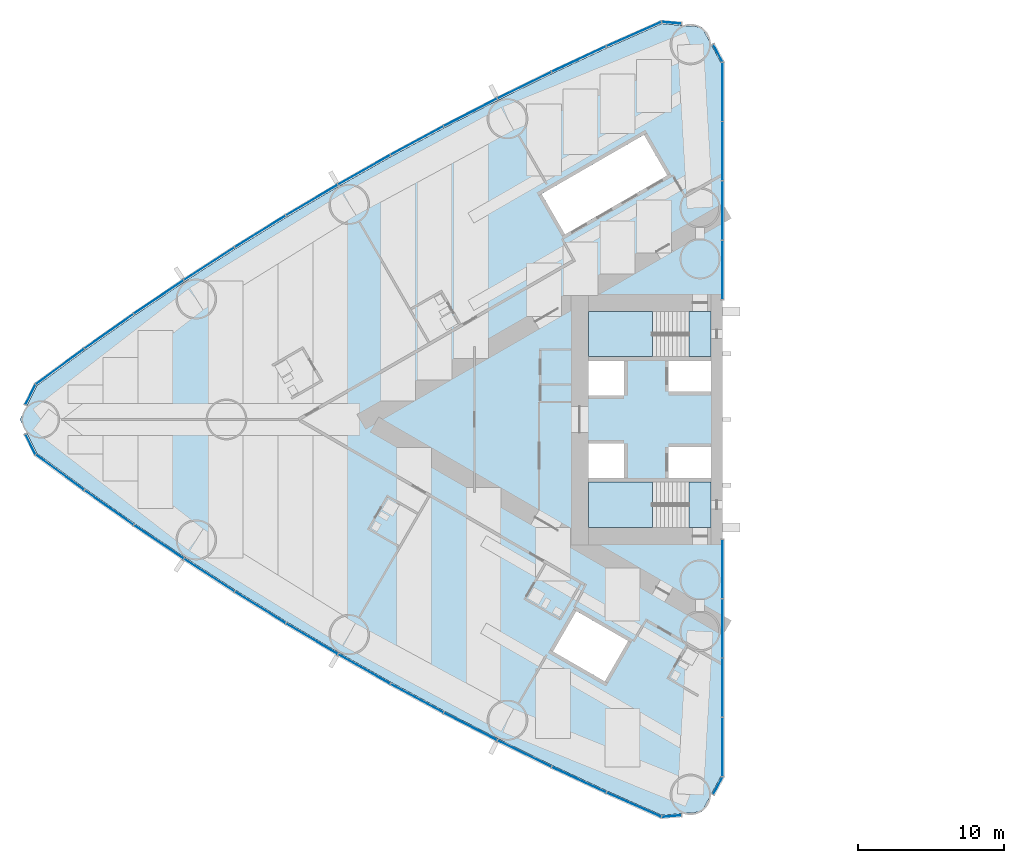
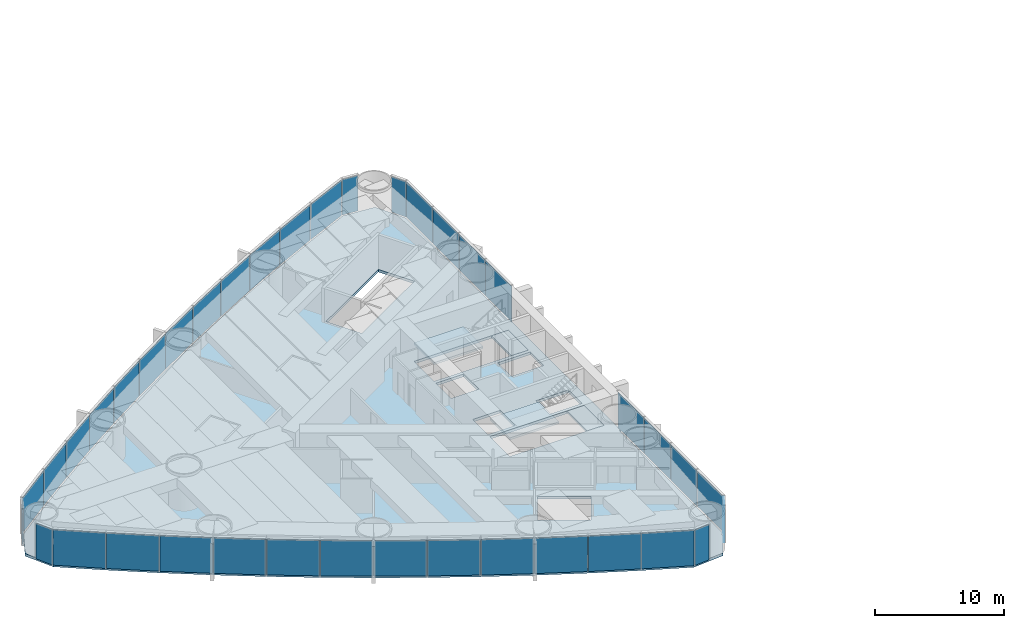
# One storey, part 9 of 18: 38 plates, 5 slabs, 6 elements without a shape of their own.
"""IFC4 building model written with IfcOpenShell, lengths in metres."""

from ifc_helpers import new_model, si_unit, direction, frame, origin, origin_2d, place, context, subcontext, project, spatial, polyline, rectangle, outline, extrude, material, layer, layer_set, type_object, element, aggregate, save


model = new_model("IFC4")

# Units and contexts
model_context = context("Model", 3, precision=1e-05, world=origin(), true_north=direction((0.0, 1.0)))
body_context = subcontext(model_context, "Body", "Model", "MODEL_VIEW")
ifc_project = project(units=[si_unit("LENGTHUNIT", "METRE"), si_unit("AREAUNIT", "SQUARE_METRE"), si_unit("VOLUMEUNIT", "CUBIC_METRE"), si_unit("PLANEANGLEUNIT", "RADIAN"), si_unit("MASSUNIT", "GRAM", prefix="KILO")], contexts=[model_context])

# Site, building, storey
site_placement = place(None, origin())
site = spatial("IfcSite", under=ifc_project, at=site_placement, CompositionType="ELEMENT")
building_placement = place(site_placement, origin())
building = spatial("IfcBuilding", under=site, at=building_placement, Name="Lancet Gate Hotel", CompositionType="ELEMENT")
storey_placement = place(building_placement, frame((0.0, 0.0, 56.5)))
storey = spatial("IfcBuildingStorey", under=building, at=storey_placement, Name="L14", CompositionType="ELEMENT", Elevation=56.5)

# Slab
ifc_material_1 = material(Name="Concrete C50/60", Category="concrete")
ifc_layer_1 = layer(ifc_material_1, 0.25)
ifc_layer_set_1 = layer_set([ifc_layer_1], Name="Floor slab 250")
slab_type_1 = type_object("IfcSlabType", Name="Floor slab 250", PredefinedType="FLOOR", material=ifc_layer_set_1)
slab_1_placement = place(storey_placement, frame((0.0, 0.0, -0.25)))
element("IfcSlab", 1, at=slab_1_placement, inside=storey, type_object=slab_type_1, Name="T1 L14 floor slab", PredefinedType="FLOOR", context=body_context, shape_type="SweptSolid", body=[
    extrude(outline(polyline([(-27.5, 8.60009765625), (-27.6201171875, 8.60009765625), (-27.6201171875, 24.4609375), (-28.926513671875, 26.8837890625), (-31.668212890625, 27.12353515625), (-35.424072265625, 25.458740234375), (-39.173583984375, 23.70849609375), (-42.887939453125, 21.884765625), (-46.56591796875, 19.98876953125), (-50.2060546875, 18.02099609375), (-53.806884765625, 15.982421875), (-57.366943359375, 13.87353515625), (-60.88525390625, 11.695068359375), (-64.360107421875, 9.448486328125), (-67.7900390625, 7.134033203125), (-71.17431640625, 4.752685546875), (-74.488525390625, 2.322021484375), (-75.65087890625, 0.0), (-74.488525390625, -2.322021484375), (-71.17431640625, -4.752685546875), (-67.7900390625, -7.134033203125), (-64.360107421875, -9.448486328125), (-60.88525390625, -11.695068359375), (-57.366943359375, -13.87353515625), (-53.806884765625, -15.982421875), (-50.2060546875, -18.02099609375), (-46.56591796875, -19.98876953125), (-42.887939453125, -21.884765625), (-39.173583984375, -23.70849609375), (-35.424072265625, -25.458740234375), (-31.668212890625, -27.12353515625), (-28.926513671875, -26.8837890625), (-27.6201171875, -24.4609375), (-27.6201171875, -8.60009765625), (-27.5, -8.60009765625), (-27.5, -8.199951171875), (-27.5, 8.199951171875), (-27.5, 8.60009765625)]), holes=[polyline([(-36.699951171875, 7.39990234375), (-36.699951171875, 4.300048828125), (-28.300048828125, 4.300048828125), (-28.300048828125, 7.39990234375), (-36.699951171875, 7.39990234375)]), polyline([(-28.300048828125, 4.0), (-31.199951171875, 4.0), (-31.199951171875, 1.89990234375), (-28.300048828125, 1.89990234375), (-28.300048828125, 4.0)]), polyline([(-34.25, 4.0), (-36.699951171875, 4.0), (-36.699951171875, 1.64990234375), (-34.25, 1.64990234375), (-34.25, 4.0)]), polyline([(-36.699951171875, -1.64990234375), (-36.699951171875, -4.0), (-34.25, -4.0), (-34.25, -1.64990234375), (-36.699951171875, -1.64990234375)]), polyline([(-28.300048828125, -1.89990234375), (-31.199951171875, -1.89990234375), (-31.199951171875, -4.0), (-28.300048828125, -4.0), (-28.300048828125, -1.89990234375)]), polyline([(-28.300048828125, -4.300048828125), (-36.699951171875, -4.300048828125), (-36.699951171875, -7.39990234375), (-28.300048828125, -7.39990234375), (-28.300048828125, -4.300048828125)]), polyline([(-31.2900390625, 16.73095703125), (-32.889892578125, 19.501953125), (-39.904052734375, 15.451904296875), (-38.303955078125, 12.680908203125), (-31.2900390625, 16.73095703125)]), polyline([(-33.97412109375, -15.180908203125), (-37.52490234375, -13.131103515625), (-39.125, -15.902099609375), (-35.573974609375, -17.951904296875), (-33.97412109375, -15.180908203125)])]), origin(), (0.0, 0.0, 1.0), 0.25),
])

# Stair, slabs
ifc_material_2 = material(Name="Exit stair 20 risers 1500")
stair_type = type_object("IfcStairType", Name="Exit stair 20 risers 1500", PredefinedType="HALF_TURN_STAIR", material=ifc_material_2)
stair_1_placement = place(storey_placement, origin())
stair_1 = element("IfcStair", 2, at=stair_1_placement, inside=storey, type_object=stair_type, Name="T1 stair 1 L14", PredefinedType="HALF_TURN_STAIR")
ifc_material_3 = material(Name="Concrete C40/50", Category="concrete")
ifc_layer_2 = layer(ifc_material_3, 0.199951171875)
ifc_layer_set_2 = layer_set([ifc_layer_2], Name="Stair landing 200")
slab_type_2 = type_object("IfcSlabType", Name="Stair landing 200", PredefinedType="LANDING", material=ifc_layer_set_2)
slab_2_placement = place(storey_placement, frame((0.0, 0.0, -0.199951171875)))
slab_2 = element("IfcSlab", 3, at=slab_2_placement, type_object=slab_type_2, Name="ST1 landing 1", PredefinedType="LANDING", context=body_context, shape_type="SweptSolid", body=[
    extrude(outline(polyline([(-28.300048828125, 7.39990234375), (-29.800048828125, 7.39990234375), (-29.800048828125, 4.300048828125), (-28.300048828125, 4.300048828125), (-28.300048828125, 7.39990234375)])), origin(), (0.0, 0.0, 1.0), 0.199951171875),
])
slab_3_placement = place(storey_placement, frame((0.0, 0.0, 1.550048828125)))
slab_3 = element("IfcSlab", 4, at=slab_3_placement, type_object=slab_type_2, Name="ST1 landing 2", PredefinedType="LANDING", context=body_context, shape_type="SweptSolid", body=[
    extrude(outline(polyline([(-32.320068359375, 7.39990234375), (-36.699951171875, 7.39990234375), (-36.699951171875, 4.300048828125), (-32.320068359375, 4.300048828125), (-32.320068359375, 7.39990234375)])), origin(), (0.0, 0.0, 1.0), 0.199951171875),
])
aggregate(stair_1, [slab_2, slab_3])

stair_2_placement = place(storey_placement, origin())
stair_2 = element("IfcStair", 5, at=stair_2_placement, inside=storey, type_object=stair_type, Name="T1 stair 2 L14", PredefinedType="HALF_TURN_STAIR")
slab_4_placement = place(storey_placement, frame((0.0, 0.0, -0.199951171875)))
slab_4 = element("IfcSlab", 6, at=slab_4_placement, type_object=slab_type_2, Name="ST2 landing 1", PredefinedType="LANDING", context=body_context, shape_type="SweptSolid", body=[
    extrude(outline(polyline([(-28.300048828125, -4.300048828125), (-29.800048828125, -4.300048828125), (-29.800048828125, -7.39990234375), (-28.300048828125, -7.39990234375), (-28.300048828125, -4.300048828125)])), origin(), (0.0, 0.0, 1.0), 0.199951171875),
])
slab_5_placement = place(storey_placement, frame((0.0, 0.0, 1.550048828125)))
slab_5 = element("IfcSlab", 7, at=slab_5_placement, type_object=slab_type_2, Name="ST2 landing 2", PredefinedType="LANDING", context=body_context, shape_type="SweptSolid", body=[
    extrude(outline(polyline([(-32.320068359375, -4.300048828125), (-36.699951171875, -4.300048828125), (-36.699951171875, -7.39990234375), (-32.320068359375, -7.39990234375), (-32.320068359375, -4.300048828125)])), origin(), (0.0, 0.0, 1.0), 0.199951171875),
])
aggregate(stair_2, [slab_4, slab_5])

# Curtain wall, plates
ifc_material_4 = material(Name="Aluminium curtain wall", Category="aluminium")
curtain_wall_type = type_object("IfcCurtainWallType", Name="Tower unitised curtain wall", PredefinedType="USERDEFINED", material=ifc_material_4)
curtain_wall_1_placement = place(storey_placement, origin())
curtain_wall_1 = element("IfcCurtainWall", 8, at=curtain_wall_1_placement, inside=storey, type_object=curtain_wall_type, Name="T1 L14 curtain wall 1", ObjectType="UNITISED CURTAIN WALL", PredefinedType="USERDEFINED")
ifc_material_5 = material(Name="Glass double glazed unit 8-16-6", Category="glass")
ifc_layer_3 = layer(ifc_material_5, 0.030029296875)
ifc_layer_set_3 = layer_set([ifc_layer_3], Name="Vision panel double glazed")
plate_type = type_object("IfcPlateType", Name="Vision panel double glazed", PredefinedType="CURTAIN_PANEL", material=ifc_layer_set_3)
plate_1_placement = place(storey_placement, frame((-27.5, 10.236328125, 0.0), z_axis=(0.0, 0.0, 1.0), x_axis=(0.0, 1.0, 0.0)))
plate_1 = element("IfcPlate", 9, at=plate_1_placement, type_object=plate_type, Name="T1 L14 curtain wall 1 panel 1", PredefinedType="CURTAIN_PANEL", context=body_context, shape_type="SweptSolid", body=[
    extrude(rectangle(XDim=4.0078125, YDim=0.030029296875, at=origin_2d()), origin(), (0.0, 0.0, 1.0), 3.35009765625),
])
plate_2_placement = place(storey_placement, frame((-27.5, 14.30908203125, 0.0), z_axis=(0.0, 0.0, 1.0), x_axis=(0.0, 1.0, 0.0)))
plate_2 = element("IfcPlate", 10, at=plate_2_placement, type_object=plate_type, Name="T1 L14 curtain wall 1 panel 2", PredefinedType="CURTAIN_PANEL", context=body_context, shape_type="SweptSolid", body=[
    extrude(rectangle(XDim=4.0078125, YDim=0.030029296875, at=origin_2d()), origin(), (0.0, 0.0, 1.0), 3.35009765625),
])
plate_3_placement = place(storey_placement, frame((-27.5, 18.382080078125, 0.0), z_axis=(0.0, 0.0, 1.0), x_axis=(0.0, 1.0, 0.0)))
plate_3 = element("IfcPlate", 11, at=plate_3_placement, type_object=plate_type, Name="T1 L14 curtain wall 1 panel 3", PredefinedType="CURTAIN_PANEL", context=body_context, shape_type="SweptSolid", body=[
    extrude(rectangle(XDim=4.0078125, YDim=0.030029296875, at=origin_2d()), origin(), (0.0, 0.0, 1.0), 3.35009765625),
])
plate_4_placement = place(storey_placement, frame((-27.5, 22.454833984375, 0.0), z_axis=(0.0, 0.0, 1.0), x_axis=(0.0, 1.0, 0.0)))
plate_4 = element("IfcPlate", 12, at=plate_4_placement, type_object=plate_type, Name="T1 L14 curtain wall 1 panel 4", PredefinedType="CURTAIN_PANEL", context=body_context, shape_type="SweptSolid", body=[
    extrude(rectangle(XDim=4.0078125, YDim=0.030029296875, at=origin_2d()), origin(), (0.0, 0.0, 1.0), 3.35009765625),
])
plate_5_placement = place(storey_placement, frame((-27.829345703125, 25.10205078125, 0.0), z_axis=(0.0, 0.0, 1.0), x_axis=(-0.474631040972, 0.880184852714, 0.0)))
plate_5 = element("IfcPlate", 13, at=plate_5_placement, type_object=plate_type, Name="T1 L14 curtain wall 1 panel 5", PredefinedType="CURTAIN_PANEL", context=body_context, shape_type="SweptSolid", body=[
    extrude(rectangle(XDim=1.322998046875, YDim=0.030029296875, at=origin_2d()), origin(), (0.0, 0.0, 1.0), 3.35009765625),
])
aggregate(curtain_wall_1, [plate_1, plate_2, plate_3, plate_4, plate_5])

curtain_wall_2_placement = place(storey_placement, origin())
curtain_wall_2 = element("IfcCurtainWall", 14, at=curtain_wall_2_placement, inside=storey, type_object=curtain_wall_type, Name="T1 L14 curtain wall 2", ObjectType="UNITISED CURTAIN WALL", PredefinedType="USERDEFINED")
plate_6_placement = place(storey_placement, frame((-30.99658203125, 27.185302734375, 0.0), z_axis=(0.0, 0.0, 1.0), x_axis=(-0.99620380374, 0.087051602022, 0.0)))
plate_6 = element("IfcPlate", 15, at=plate_6_placement, type_object=plate_type, Name="T1 L14 curtain wall 2 panel 1", PredefinedType="CURTAIN_PANEL", context=body_context, shape_type="SweptSolid", body=[
    extrude(rectangle(XDim=1.32421875, YDim=0.030029296875, at=origin_2d()), origin(), (0.0, 0.0, 1.0), 3.35009765625),
])
plate_7_placement = place(storey_placement, frame((-33.581298828125, 26.406982421875, 0.0), z_axis=(0.0, 0.0, 1.0), x_axis=(-0.914234183208, -0.405186201954, 0.0)))
plate_7 = element("IfcPlate", 16, at=plate_7_placement, type_object=plate_type, Name="T1 L14 curtain wall 2 panel 2", PredefinedType="CURTAIN_PANEL", context=body_context, shape_type="SweptSolid", body=[
    extrude(rectangle(XDim=4.0751953125, YDim=0.030029296875, at=origin_2d()), origin(), (0.0, 0.0, 1.0), 3.35009765625),
])
plate_8_placement = place(storey_placement, frame((-37.349609375, 24.6923828125, 0.0), z_axis=(0.0, 0.0, 1.0), x_axis=(-0.906117767284, -0.423025521467, 0.0)))
plate_8 = element("IfcPlate", 17, at=plate_8_placement, type_object=plate_type, Name="T1 L14 curtain wall 2 panel 3", PredefinedType="CURTAIN_PANEL", context=body_context, shape_type="SweptSolid", body=[
    extrude(rectangle(XDim=4.0751953125, YDim=0.030029296875, at=origin_2d()), origin(), (0.0, 0.0, 1.0), 3.35009765625),
])
plate_9_placement = place(storey_placement, frame((-41.083740234375, 22.904296875, 0.0), z_axis=(0.0, 0.0, 1.0), x_axis=(-0.897653295642, -0.440702349463, 0.0)))
plate_9 = element("IfcPlate", 18, at=plate_9_placement, type_object=plate_type, Name="T1 L14 curtain wall 2 panel 4", PredefinedType="CURTAIN_PANEL", context=body_context, shape_type="SweptSolid", body=[
    extrude(rectangle(XDim=4.0751953125, YDim=0.030029296875, at=origin_2d()), origin(), (0.0, 0.0, 1.0), 3.35009765625),
])
plate_10_placement = place(storey_placement, frame((-44.781982421875, 21.04345703125, 0.0), z_axis=(0.0, 0.0, 1.0), x_axis=(-0.888844019644, -0.458209895946, 0.0)))
plate_10 = element("IfcPlate", 19, at=plate_10_placement, type_object=plate_type, Name="T1 L14 curtain wall 2 panel 5", PredefinedType="CURTAIN_PANEL", context=body_context, shape_type="SweptSolid", body=[
    extrude(rectangle(XDim=4.0751953125, YDim=0.030029296875, at=origin_2d()), origin(), (0.0, 0.0, 1.0), 3.35009765625),
])
plate_11_placement = place(storey_placement, frame((-48.443115234375, 19.110595703125, 0.0), z_axis=(0.0, 0.0, 1.0), x_axis=(-0.87969332307, -0.475541435993, 0.0)))
plate_11 = element("IfcPlate", 20, at=plate_11_placement, type_object=plate_type, Name="T1 L14 curtain wall 2 panel 6", PredefinedType="CURTAIN_PANEL", context=body_context, shape_type="SweptSolid", body=[
    extrude(rectangle(XDim=4.0751953125, YDim=0.030029296875, at=origin_2d()), origin(), (0.0, 0.0, 1.0), 3.35009765625),
])
plate_12_placement = place(storey_placement, frame((-52.065673828125, 17.106201171875, 0.0), z_axis=(0.0, 0.0, 1.0), x_axis=(-0.870204720871, -0.492690312238, 0.0)))
plate_12 = element("IfcPlate", 21, at=plate_12_placement, type_object=plate_type, Name="T1 L14 curtain wall 2 panel 7", PredefinedType="CURTAIN_PANEL", context=body_context, shape_type="SweptSolid", body=[
    extrude(rectangle(XDim=4.0751953125, YDim=0.030029296875, at=origin_2d()), origin(), (0.0, 0.0, 1.0), 3.35009765625),
])
plate_13_placement = place(storey_placement, frame((-55.648193359375, 15.031005859375, 0.0), z_axis=(0.0, 0.0, 1.0), x_axis=(-0.860381857795, -0.509649937484, 0.0)))
plate_13 = element("IfcPlate", 22, at=plate_13_placement, type_object=plate_type, Name="T1 L14 curtain wall 2 panel 8", PredefinedType="CURTAIN_PANEL", context=body_context, shape_type="SweptSolid", body=[
    extrude(rectangle(XDim=4.0751953125, YDim=0.030029296875, at=origin_2d()), origin(), (0.0, 0.0, 1.0), 3.35009765625),
])
plate_14_placement = place(storey_placement, frame((-59.189208984375, 12.88623046875, 0.0), z_axis=(0.0, 0.0, 1.0), x_axis=(-0.850228506958, -0.52641379727, 0.0)))
plate_14 = element("IfcPlate", 23, at=plate_14_placement, type_object=plate_type, Name="T1 L14 curtain wall 2 panel 9", PredefinedType="CURTAIN_PANEL", context=body_context, shape_type="SweptSolid", body=[
    extrude(rectangle(XDim=4.0751953125, YDim=0.030029296875, at=origin_2d()), origin(), (0.0, 0.0, 1.0), 3.35009765625),
])
plate_15_placement = place(storey_placement, frame((-62.687744140625, 10.672607421875, 0.0), z_axis=(0.0, 0.0, 1.0), x_axis=(-0.839748568448, -0.54297545229, 0.0)))
plate_15 = element("IfcPlate", 24, at=plate_15_placement, type_object=plate_type, Name="T1 L14 curtain wall 2 panel 10", PredefinedType="CURTAIN_PANEL", context=body_context, shape_type="SweptSolid", body=[
    extrude(rectangle(XDim=4.0751953125, YDim=0.030029296875, at=origin_2d()), origin(), (0.0, 0.0, 1.0), 3.35009765625),
])
plate_16_placement = place(storey_placement, frame((-66.142333984375, 8.390625, 0.0), z_axis=(0.0, 0.0, 1.0), x_axis=(-0.828946067803, -0.559328540907, 0.0)))
plate_16 = element("IfcPlate", 25, at=plate_16_placement, type_object=plate_type, Name="T1 L14 curtain wall 2 panel 11", PredefinedType="CURTAIN_PANEL", context=body_context, shape_type="SweptSolid", body=[
    extrude(rectangle(XDim=4.0751953125, YDim=0.030029296875, at=origin_2d()), origin(), (0.0, 0.0, 1.0), 3.35009765625),
])
plate_17_placement = place(storey_placement, frame((-69.55126953125, 6.04150390625, 0.0), z_axis=(0.0, 0.0, 1.0), x_axis=(-0.817825154435, -0.575466781642, 0.0)))
plate_17 = element("IfcPlate", 26, at=plate_17_placement, type_object=plate_type, Name="T1 L14 curtain wall 2 panel 12", PredefinedType="CURTAIN_PANEL", context=body_context, shape_type="SweptSolid", body=[
    extrude(rectangle(XDim=4.0751953125, YDim=0.030029296875, at=origin_2d()), origin(), (0.0, 0.0, 1.0), 3.35009765625),
])
plate_18_placement = place(storey_placement, frame((-72.91357421875, 3.6259765625, 0.0), z_axis=(0.0, 0.0, 1.0), x_axis=(-0.80639010009, -0.591383975499, 0.0)))
plate_18 = element("IfcPlate", 27, at=plate_18_placement, type_object=plate_type, Name="T1 L14 curtain wall 2 panel 13", PredefinedType="CURTAIN_PANEL", context=body_context, shape_type="SweptSolid", body=[
    extrude(rectangle(XDim=4.0751953125, YDim=0.030029296875, at=origin_2d()), origin(), (0.0, 0.0, 1.0), 3.35009765625),
])
plate_19_placement = place(storey_placement, frame((-74.93505859375, 1.6982421875, 0.0), z_axis=(0.0, 0.0, 1.0), x_axis=(-0.447628324726, -0.89421970617, 0.0)))
plate_19 = element("IfcPlate", 28, at=plate_19_placement, type_object=plate_type, Name="T1 L14 curtain wall 2 panel 14", PredefinedType="CURTAIN_PANEL", context=body_context, shape_type="SweptSolid", body=[
    extrude(rectangle(XDim=1.50830078125, YDim=0.030029296875, at=origin_2d()), origin(), (0.0, 0.0, 1.0), 3.35009765625),
])
aggregate(curtain_wall_2, [plate_6, plate_7, plate_8, plate_9, plate_10, plate_11, plate_12, plate_13, plate_14, plate_15, plate_16, plate_17, plate_18, plate_19])

curtain_wall_3_placement = place(storey_placement, origin())
curtain_wall_3 = element("IfcCurtainWall", 29, at=curtain_wall_3_placement, inside=storey, type_object=curtain_wall_type, Name="T1 L14 curtain wall 3", ObjectType="UNITISED CURTAIN WALL", PredefinedType="USERDEFINED")
plate_20_placement = place(storey_placement, frame((-74.93505859375, -1.6982421875, 0.0), z_axis=(0.0, 0.0, 1.0), x_axis=(0.447628324726, -0.89421970617, 0.0)))
plate_20 = element("IfcPlate", 30, at=plate_20_placement, type_object=plate_type, Name="T1 L14 curtain wall 3 panel 1", PredefinedType="CURTAIN_PANEL", context=body_context, shape_type="SweptSolid", body=[
    extrude(rectangle(XDim=1.50830078125, YDim=0.030029296875, at=origin_2d()), origin(), (0.0, 0.0, 1.0), 3.35009765625),
])
plate_21_placement = place(storey_placement, frame((-72.91357421875, -3.6259765625, 0.0), z_axis=(0.0, 0.0, 1.0), x_axis=(0.80639010009, -0.591383975499, 0.0)))
plate_21 = element("IfcPlate", 31, at=plate_21_placement, type_object=plate_type, Name="T1 L14 curtain wall 3 panel 2", PredefinedType="CURTAIN_PANEL", context=body_context, shape_type="SweptSolid", body=[
    extrude(rectangle(XDim=4.0751953125, YDim=0.030029296875, at=origin_2d()), origin(), (0.0, 0.0, 1.0), 3.35009765625),
])
plate_22_placement = place(storey_placement, frame((-69.55126953125, -6.04150390625, 0.0), z_axis=(0.0, 0.0, 1.0), x_axis=(0.817825154435, -0.575466781642, 0.0)))
plate_22 = element("IfcPlate", 32, at=plate_22_placement, type_object=plate_type, Name="T1 L14 curtain wall 3 panel 3", PredefinedType="CURTAIN_PANEL", context=body_context, shape_type="SweptSolid", body=[
    extrude(rectangle(XDim=4.0751953125, YDim=0.030029296875, at=origin_2d()), origin(), (0.0, 0.0, 1.0), 3.35009765625),
])
plate_23_placement = place(storey_placement, frame((-66.142333984375, -8.390625, 0.0), z_axis=(0.0, 0.0, 1.0), x_axis=(0.828946067803, -0.559328540907, 0.0)))
plate_23 = element("IfcPlate", 33, at=plate_23_placement, type_object=plate_type, Name="T1 L14 curtain wall 3 panel 4", PredefinedType="CURTAIN_PANEL", context=body_context, shape_type="SweptSolid", body=[
    extrude(rectangle(XDim=4.0751953125, YDim=0.030029296875, at=origin_2d()), origin(), (0.0, 0.0, 1.0), 3.35009765625),
])
plate_24_placement = place(storey_placement, frame((-62.687744140625, -10.672607421875, 0.0), z_axis=(0.0, 0.0, 1.0), x_axis=(0.839748568448, -0.54297545229, 0.0)))
plate_24 = element("IfcPlate", 34, at=plate_24_placement, type_object=plate_type, Name="T1 L14 curtain wall 3 panel 5", PredefinedType="CURTAIN_PANEL", context=body_context, shape_type="SweptSolid", body=[
    extrude(rectangle(XDim=4.0751953125, YDim=0.030029296875, at=origin_2d()), origin(), (0.0, 0.0, 1.0), 3.35009765625),
])
plate_25_placement = place(storey_placement, frame((-59.189208984375, -12.88623046875, 0.0), z_axis=(0.0, 0.0, 1.0), x_axis=(0.850228506958, -0.52641379727, 0.0)))
plate_25 = element("IfcPlate", 35, at=plate_25_placement, type_object=plate_type, Name="T1 L14 curtain wall 3 panel 6", PredefinedType="CURTAIN_PANEL", context=body_context, shape_type="SweptSolid", body=[
    extrude(rectangle(XDim=4.0751953125, YDim=0.030029296875, at=origin_2d()), origin(), (0.0, 0.0, 1.0), 3.35009765625),
])
plate_26_placement = place(storey_placement, frame((-55.648193359375, -15.031005859375, 0.0), z_axis=(0.0, 0.0, 1.0), x_axis=(0.860381857795, -0.509649937484, 0.0)))
plate_26 = element("IfcPlate", 36, at=plate_26_placement, type_object=plate_type, Name="T1 L14 curtain wall 3 panel 7", PredefinedType="CURTAIN_PANEL", context=body_context, shape_type="SweptSolid", body=[
    extrude(rectangle(XDim=4.0751953125, YDim=0.030029296875, at=origin_2d()), origin(), (0.0, 0.0, 1.0), 3.35009765625),
])
plate_27_placement = place(storey_placement, frame((-52.065673828125, -17.106201171875, 0.0), z_axis=(0.0, 0.0, 1.0), x_axis=(0.870204720871, -0.492690312238, 0.0)))
plate_27 = element("IfcPlate", 37, at=plate_27_placement, type_object=plate_type, Name="T1 L14 curtain wall 3 panel 8", PredefinedType="CURTAIN_PANEL", context=body_context, shape_type="SweptSolid", body=[
    extrude(rectangle(XDim=4.0751953125, YDim=0.030029296875, at=origin_2d()), origin(), (0.0, 0.0, 1.0), 3.35009765625),
])
plate_28_placement = place(storey_placement, frame((-48.443115234375, -19.110595703125, 0.0), z_axis=(0.0, 0.0, 1.0), x_axis=(0.87969332307, -0.475541435993, 0.0)))
plate_28 = element("IfcPlate", 38, at=plate_28_placement, type_object=plate_type, Name="T1 L14 curtain wall 3 panel 9", PredefinedType="CURTAIN_PANEL", context=body_context, shape_type="SweptSolid", body=[
    extrude(rectangle(XDim=4.0751953125, YDim=0.030029296875, at=origin_2d()), origin(), (0.0, 0.0, 1.0), 3.35009765625),
])
plate_29_placement = place(storey_placement, frame((-44.781982421875, -21.04345703125, 0.0), z_axis=(0.0, 0.0, 1.0), x_axis=(0.888844019644, -0.458209895946, 0.0)))
plate_29 = element("IfcPlate", 39, at=plate_29_placement, type_object=plate_type, Name="T1 L14 curtain wall 3 panel 10", PredefinedType="CURTAIN_PANEL", context=body_context, shape_type="SweptSolid", body=[
    extrude(rectangle(XDim=4.0751953125, YDim=0.030029296875, at=origin_2d()), origin(), (0.0, 0.0, 1.0), 3.35009765625),
])
plate_30_placement = place(storey_placement, frame((-41.083740234375, -22.904296875, 0.0), z_axis=(0.0, 0.0, 1.0), x_axis=(0.897653295642, -0.440702349463, 0.0)))
plate_30 = element("IfcPlate", 40, at=plate_30_placement, type_object=plate_type, Name="T1 L14 curtain wall 3 panel 11", PredefinedType="CURTAIN_PANEL", context=body_context, shape_type="SweptSolid", body=[
    extrude(rectangle(XDim=4.0751953125, YDim=0.030029296875, at=origin_2d()), origin(), (0.0, 0.0, 1.0), 3.35009765625),
])
plate_31_placement = place(storey_placement, frame((-37.349609375, -24.6923828125, 0.0), z_axis=(0.0, 0.0, 1.0), x_axis=(0.906117767284, -0.423025521467, 0.0)))
plate_31 = element("IfcPlate", 41, at=plate_31_placement, type_object=plate_type, Name="T1 L14 curtain wall 3 panel 12", PredefinedType="CURTAIN_PANEL", context=body_context, shape_type="SweptSolid", body=[
    extrude(rectangle(XDim=4.0751953125, YDim=0.030029296875, at=origin_2d()), origin(), (0.0, 0.0, 1.0), 3.35009765625),
])
plate_32_placement = place(storey_placement, frame((-33.581298828125, -26.406982421875, 0.0), z_axis=(0.0, 0.0, 1.0), x_axis=(0.914234183208, -0.405186201954, 0.0)))
plate_32 = element("IfcPlate", 42, at=plate_32_placement, type_object=plate_type, Name="T1 L14 curtain wall 3 panel 13", PredefinedType="CURTAIN_PANEL", context=body_context, shape_type="SweptSolid", body=[
    extrude(rectangle(XDim=4.0751953125, YDim=0.030029296875, at=origin_2d()), origin(), (0.0, 0.0, 1.0), 3.35009765625),
])
plate_33_placement = place(storey_placement, frame((-30.99658203125, -27.185302734375, 0.0), z_axis=(0.0, 0.0, 1.0), x_axis=(0.99620380374, 0.087051602022, 0.0)))
plate_33 = element("IfcPlate", 43, at=plate_33_placement, type_object=plate_type, Name="T1 L14 curtain wall 3 panel 14", PredefinedType="CURTAIN_PANEL", context=body_context, shape_type="SweptSolid", body=[
    extrude(rectangle(XDim=1.32421875, YDim=0.030029296875, at=origin_2d()), origin(), (0.0, 0.0, 1.0), 3.35009765625),
])
aggregate(curtain_wall_3, [plate_20, plate_21, plate_22, plate_23, plate_24, plate_25, plate_26, plate_27, plate_28, plate_29, plate_30, plate_31, plate_32, plate_33])

curtain_wall_4_placement = place(storey_placement, origin())
curtain_wall_4 = element("IfcCurtainWall", 44, at=curtain_wall_4_placement, inside=storey, type_object=curtain_wall_type, Name="T1 L14 curtain wall 4", ObjectType="UNITISED CURTAIN WALL", PredefinedType="USERDEFINED")
plate_34_placement = place(storey_placement, frame((-27.829345703125, -25.10205078125, 0.0), z_axis=(0.0, 0.0, 1.0), x_axis=(0.474631040972, 0.880184852714, 0.0)))
plate_34 = element("IfcPlate", 45, at=plate_34_placement, type_object=plate_type, Name="T1 L14 curtain wall 4 panel 1", PredefinedType="CURTAIN_PANEL", context=body_context, shape_type="SweptSolid", body=[
    extrude(rectangle(XDim=1.322998046875, YDim=0.030029296875, at=origin_2d()), origin(), (0.0, 0.0, 1.0), 3.35009765625),
])
plate_35_placement = place(storey_placement, frame((-27.5, -22.454833984375, 0.0), z_axis=(0.0, 0.0, 1.0), x_axis=(0.0, 1.0, 0.0)))
plate_35 = element("IfcPlate", 46, at=plate_35_placement, type_object=plate_type, Name="T1 L14 curtain wall 4 panel 2", PredefinedType="CURTAIN_PANEL", context=body_context, shape_type="SweptSolid", body=[
    extrude(rectangle(XDim=4.0078125, YDim=0.030029296875, at=origin_2d()), origin(), (0.0, 0.0, 1.0), 3.35009765625),
])
plate_36_placement = place(storey_placement, frame((-27.5, -18.382080078125, 0.0), z_axis=(0.0, 0.0, 1.0), x_axis=(0.0, 1.0, 0.0)))
plate_36 = element("IfcPlate", 47, at=plate_36_placement, type_object=plate_type, Name="T1 L14 curtain wall 4 panel 3", PredefinedType="CURTAIN_PANEL", context=body_context, shape_type="SweptSolid", body=[
    extrude(rectangle(XDim=4.0078125, YDim=0.030029296875, at=origin_2d()), origin(), (0.0, 0.0, 1.0), 3.35009765625),
])
plate_37_placement = place(storey_placement, frame((-27.5, -14.30908203125, 0.0), z_axis=(0.0, 0.0, 1.0), x_axis=(0.0, 1.0, 0.0)))
plate_37 = element("IfcPlate", 48, at=plate_37_placement, type_object=plate_type, Name="T1 L14 curtain wall 4 panel 4", PredefinedType="CURTAIN_PANEL", context=body_context, shape_type="SweptSolid", body=[
    extrude(rectangle(XDim=4.0078125, YDim=0.030029296875, at=origin_2d()), origin(), (0.0, 0.0, 1.0), 3.35009765625),
])
plate_38_placement = place(storey_placement, frame((-27.5, -10.236328125, 0.0), z_axis=(0.0, 0.0, 1.0), x_axis=(0.0, 1.0, 0.0)))
plate_38 = element("IfcPlate", 49, at=plate_38_placement, type_object=plate_type, Name="T1 L14 curtain wall 4 panel 5", PredefinedType="CURTAIN_PANEL", context=body_context, shape_type="SweptSolid", body=[
    extrude(rectangle(XDim=4.0078125, YDim=0.030029296875, at=origin_2d()), origin(), (0.0, 0.0, 1.0), 3.35009765625),
])
aggregate(curtain_wall_4, [plate_34, plate_35, plate_36, plate_37, plate_38])

save(model, "model.ifc")
